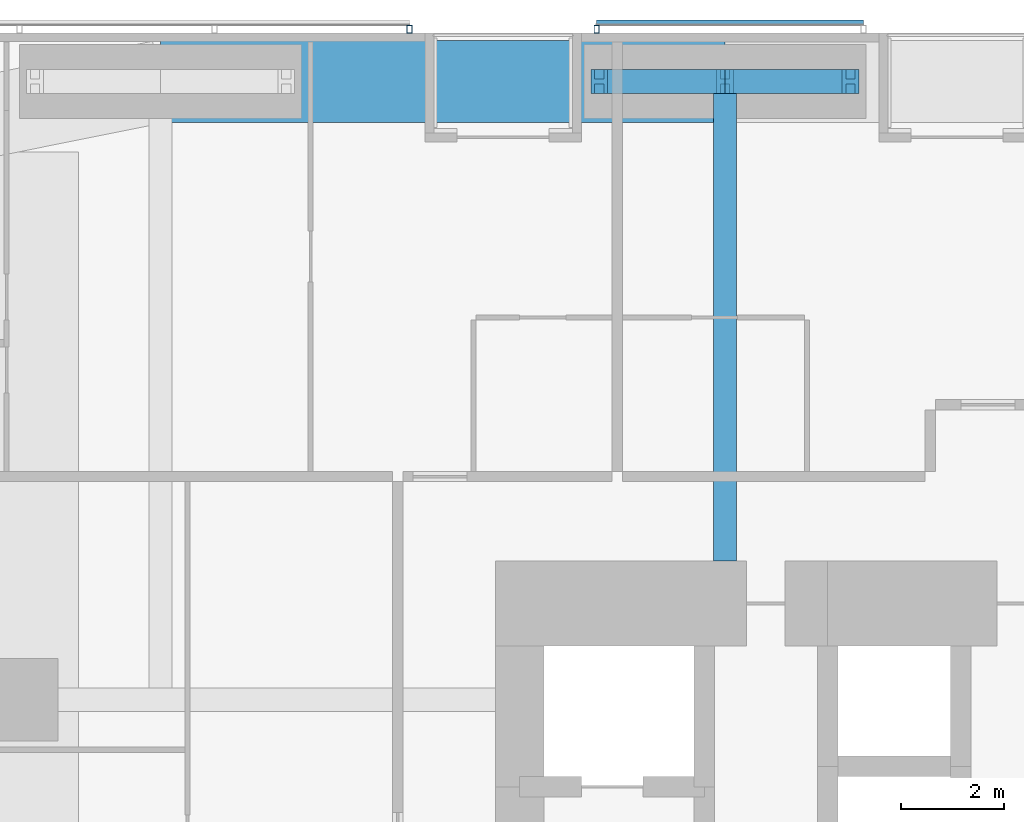
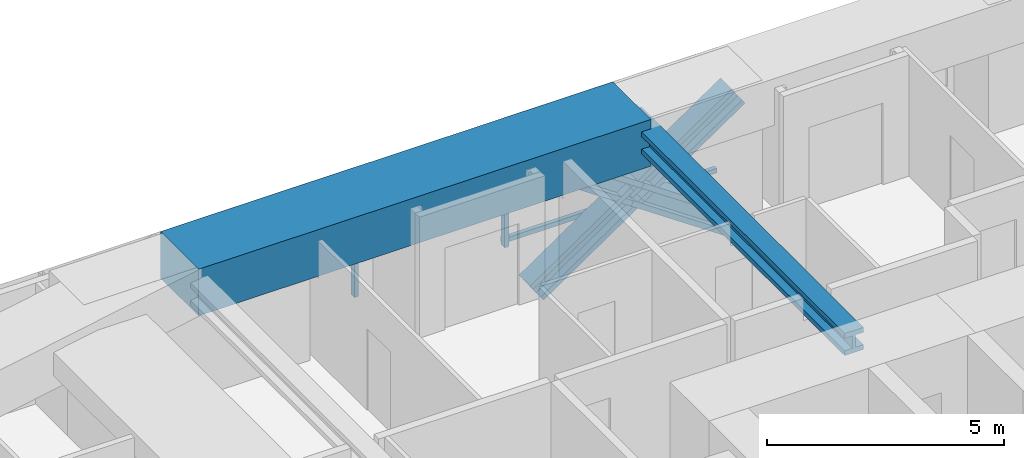
# One storey, part 13 of 24: 7 members, 2 beams, 2 elements without a shape of their own.
"""IFC4 building model written with IfcOpenShell, lengths in metres."""

from ifc_helpers import new_model, si_unit, direction, frame, origin, origin_2d, place, context, subcontext, project, spatial, rectangle, hollow_rectangle, i_section, extrude, material, material_profile, profile_set, type_object, element, aggregate, save


model = new_model("IFC4")

# Units and contexts
model_context = context("Model", 3, precision=1e-05, world=origin(), true_north=direction((0.0, 1.0)))
body_context = subcontext(model_context, "Body", "Model", "MODEL_VIEW")
ifc_project = project(units=[si_unit("LENGTHUNIT", "METRE"), si_unit("AREAUNIT", "SQUARE_METRE"), si_unit("VOLUMEUNIT", "CUBIC_METRE"), si_unit("PLANEANGLEUNIT", "RADIAN"), si_unit("MASSUNIT", "GRAM", prefix="KILO")], contexts=[model_context])

# Site, building, storey
site_placement = place(None, origin())
site = spatial("IfcSite", under=ifc_project, at=site_placement, CompositionType="ELEMENT")
building_placement = place(site_placement, origin())
building = spatial("IfcBuilding", under=site, at=building_placement, Name="Jalousie Tower", CompositionType="ELEMENT")
storey_placement = place(building_placement, frame((0.0, 0.0, 51.14990234375)))
storey = spatial("IfcBuildingStorey", under=building, at=storey_placement, Name="L13", CompositionType="ELEMENT", Elevation=51.14990234375)

# Beam
ifc_material_1 = material(Name="Steel ASTM A992 Grade 50", Category="steel")
ifc_material_profile_1 = material_profile(ifc_material_1, i_section(OverallWidth=0.45458984375, OverallDepth=0.569091796875, WebThickness=0.077880859375, FlangeThickness=0.124755859375, at=origin_2d()), Name="W14X730")
ifc_profile_set_1 = profile_set([ifc_material_profile_1], Name="Steel ASTM A992 Grade 50")
beam_type_1 = type_object("IfcBeamType", Name="LEAN COLLECTOR W14X730", PredefinedType="BEAM", material=ifc_profile_set_1)
beam_1_placement = place(storey_placement, frame((24.0, 37.050048828125, 2.82568359375), z_axis=(0.0, -1.0, 0.0), x_axis=(1.0, 0.0, 0.0)))
element("IfcBeam", 1, at=beam_1_placement, inside=storey, type_object=beam_type_1, Name="Lean collector under L14", PredefinedType="BEAM", context=body_context, shape_type="SweptSolid", body=[
    extrude(i_section(OverallWidth=0.45458984375, OverallDepth=0.569091796875, WebThickness=0.077880859375, FlangeThickness=0.124755859375, at=origin_2d()), origin(), (0.0, 0.0, 1.0), 9.35009765625),
])

# Members
ifc_material_2 = material(Name="Steel ASTM A992 Grade 50", Category="steel")
ifc_material_profile_2 = material_profile(ifc_material_2, i_section(OverallWidth=0.472412109375, OverallDepth=0.5791015625, WebThickness=0.094970703125, FlangeThickness=0.1298828125, at=origin_2d()), Name="W14X808")
ifc_profile_set_2 = profile_set([ifc_material_profile_2], Name="Steel ASTM A992 Grade 50")
member_type_1 = type_object("IfcMemberType", Name="PERIMETER BRACE W14X808", PredefinedType="BRACE", material=ifc_profile_set_2)
for number, where, z_axis, x_axis, name in (
    (2, (21.550048828125, 37.050048828125, -0.599853515625), (0.825500916831, 0.0, 0.564400776321), (0.0, 1.0, 0.0), "Perimeter brace 10 L13 part 1"),
    (3, (24.0, 37.050048828125, 1.0751953125), (0.825539243753, 0.0, 0.564344714713), (0.0, 1.0, 0.0), "Perimeter brace 10 L13 part 2"),
    (4, (26.449951171875, 37.050048828125, -0.599853515625), (-0.825500916831, 0.0, 0.564400776321), (0.0, -1.0, 0.0), "Perimeter brace 10 L13 part 3"),
    (5, (24.0, 37.050048828125, 1.0751953125), (-0.825539243753, 0.0, 0.564344714713), (0.0, -1.0, 0.0), "Perimeter brace 10 L13 part 4"),
):
    element("IfcMember", number, at=place(storey_placement, frame(where, z_axis=z_axis, x_axis=x_axis)), inside=storey, type_object=member_type_1, Name=name, PredefinedType="BRACE", context=body_context, shape_type="SweptSolid", body=[
        extrude(i_section(OverallWidth=0.472412109375, OverallDepth=0.5791015625, WebThickness=0.094970703125, FlangeThickness=0.1298828125, at=origin_2d()), origin(), (0.0, 0.0, 1.0), 2.9677734375),
    ])

# Beam
ifc_material_3 = material(Name="Concrete f'c 40 MPa", Category="concrete")
ifc_material_profile_3 = material_profile(ifc_material_3, rectangle(XDim=1.60009765625, YDim=1.199951171875, at=origin_2d()), Name="RC 1600x1200")
ifc_profile_set_3 = profile_set([ifc_material_profile_3], Name="Concrete f'c 40 MPa")
beam_type_2 = type_object("IfcBeamType", Name="RC BEAM 1600x1200", PredefinedType="BEAM", material=ifc_profile_set_3)
beam_2_placement = place(storey_placement, frame((24.0, 37.050048828125, 2.75), z_axis=(-1.0, 0.0, 0.0), x_axis=(0.0, -1.0, 0.0)))
element("IfcBeam", 6, at=beam_2_placement, inside=storey, type_object=beam_type_2, Name="Edge band beam 10-11 under L14", PredefinedType="BEAM", context=body_context, shape_type="SweptSolid", body=[
    extrude(rectangle(XDim=1.60009765625, YDim=1.199951171875, at=origin_2d()), origin(), (0.0, 0.0, 1.0), 11.0),
])

# Curtain wall, member
ifc_material_4 = material(Name="Perforated aluminium sheet", Category="aluminium")
curtain_wall_type = type_object("IfcCurtainWallType", Name="SOLAR SCREEN SS-1", PredefinedType="USERDEFINED", material=ifc_material_4)
curtain_wall_1_placement = place(storey_placement, origin())
curtain_wall_1 = element("IfcCurtainWall", 7, at=curtain_wall_1_placement, inside=storey, type_object=curtain_wall_type, Name="Solar screen L13", ObjectType="SOLAR SCREEN SS-1", PredefinedType="USERDEFINED")
ifc_material_5 = material(Name="Steel ASTM A500 Grade C", Category="steel")
ifc_material_profile_4 = material_profile(ifc_material_5, hollow_rectangle(XDim=0.1015625, YDim=0.15234375, WallThickness=0.00634765625, at=origin_2d()), Name="HSS6X4X1/4")
ifc_profile_set_4 = profile_set([ifc_material_profile_4], Name="Steel ASTM A500 Grade C")
member_type_2 = type_object("IfcMemberType", Name="SOLAR SCREEN SS-1 MULLION", PredefinedType="MULLION", material=ifc_profile_set_4)
member_1_placement = place(storey_placement, frame((21.5, 38.0712890625, -0.119873046875), z_axis=(0.0, 0.0, 1.0), x_axis=(-1.0, 0.0, 0.0)))
member_1 = element("IfcMember", 8, at=member_1_placement, type_object=member_type_2, Name="SS1 post 2", PredefinedType="MULLION", context=body_context, shape_type="SweptSolid", body=[
    extrude(hollow_rectangle(XDim=0.1015625, YDim=0.15234375, WallThickness=0.00634765625, at=origin_2d()), origin(), (0.0, 0.0, 1.0), 3.22998046875),
])

curtain_wall_2_placement = place(storey_placement, origin())
curtain_wall_2 = element("IfcCurtainWall", 9, at=curtain_wall_2_placement, inside=storey, type_object=curtain_wall_type, Name="Solar screen L13", ObjectType="SOLAR SCREEN SS-1", PredefinedType="USERDEFINED")
member_2_placement = place(storey_placement, frame((17.85009765625, 38.0712890625, -0.119873046875), z_axis=(0.0, 0.0, 1.0), x_axis=(-1.0, 0.0, 0.0)))
member_2 = element("IfcMember", 10, at=member_2_placement, type_object=member_type_2, Name="SS1 post 1", PredefinedType="MULLION", context=body_context, shape_type="SweptSolid", body=[
    extrude(hollow_rectangle(XDim=0.1015625, YDim=0.15234375, WallThickness=0.00634765625, at=origin_2d()), origin(), (0.0, 0.0, 1.0), 3.22998046875),
])
aggregate(curtain_wall_2, [member_2])

# Member
ifc_material_6 = material(Name="Extruded aluminium screen rail", Category="aluminium")
ifc_material_profile_5 = material_profile(ifc_material_6, rectangle(XDim=0.1015625, YDim=0.1201171875, at=origin_2d()), Name="RAIL 102x120")
ifc_profile_set_5 = profile_set([ifc_material_profile_5], Name="Extruded aluminium screen rail")
member_type_3 = type_object("IfcMemberType", Name="SOLAR SCREEN SS-1 TRANSOM", PredefinedType="USERDEFINED", material=ifc_profile_set_5)
member_3_placement = place(storey_placement, frame((26.699951171875, 38.1982421875, -0.059814453125), z_axis=(-1.0, 0.0, 0.0), x_axis=(0.0, -1.0, 0.0)))
member_3 = element("IfcMember", 11, at=member_3_placement, type_object=member_type_3, Name="SS1 rail", ObjectType="TRANSOM", PredefinedType="USERDEFINED", context=body_context, shape_type="SweptSolid", body=[
    extrude(rectangle(XDim=0.1015625, YDim=0.1201171875, at=origin_2d()), origin(), (0.0, 0.0, 1.0), 5.199951171875),
])

aggregate(curtain_wall_1, [member_1, member_3])

save(model, "model.ifc")
